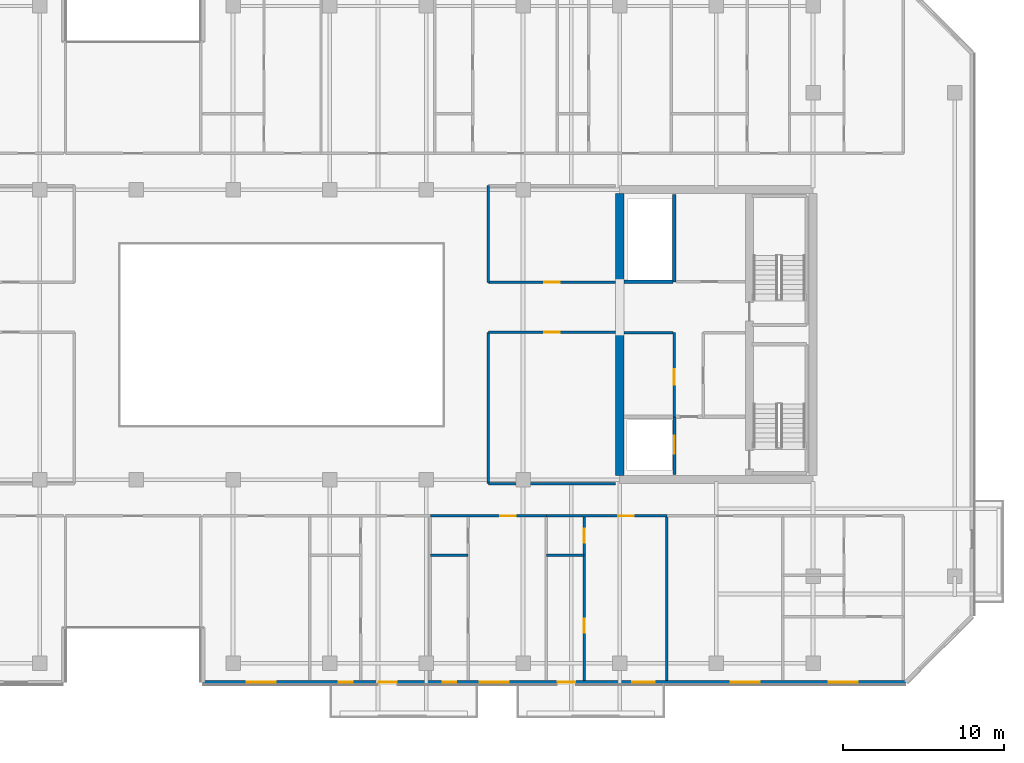
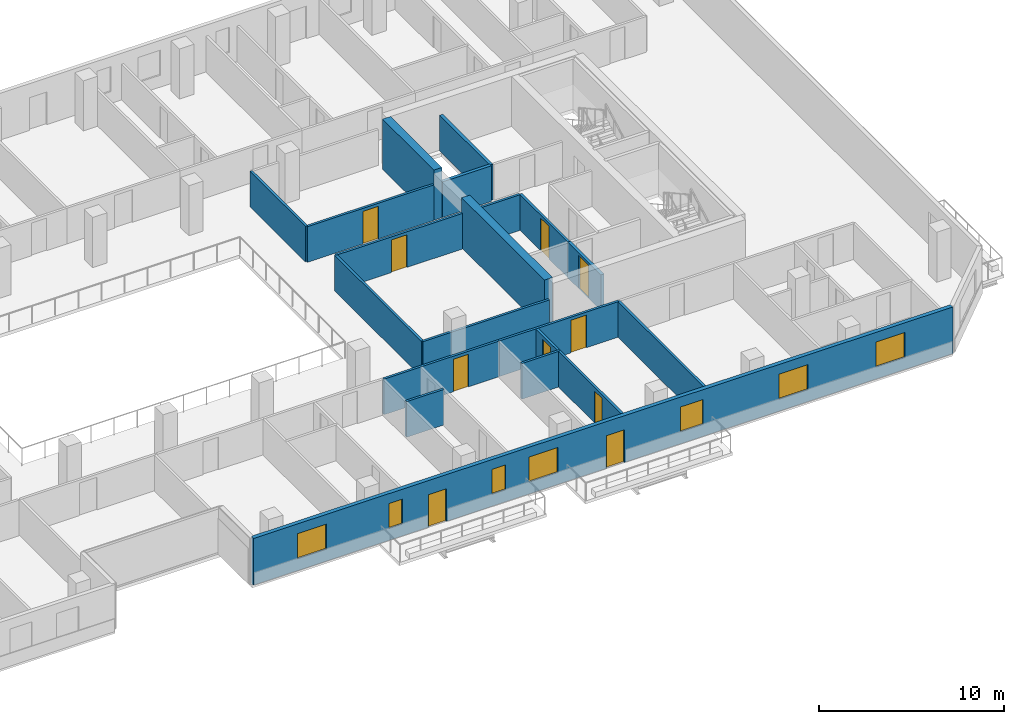
# One storey, part 11 of 19: 19 walls, 10 doors, 7 windows, 17 openings.
"""IFC4 building model written with IfcOpenShell, lengths in metres."""

from ifc_helpers import new_model, si_unit, direction, frame, frame_2d, origin, place, context, subcontext, project, spatial, rectangle, extrude, material, layer, layer_set, type_object, element, fill, save


model = new_model("IFC4")

# Units and contexts
model_context = context("Model", 3, precision=1e-05, world=origin(), true_north=direction((0.0, 1.0)))
body_context = subcontext(model_context, "Body", "Model", "MODEL_VIEW")
ifc_project = project(units=[si_unit("LENGTHUNIT", "METRE"), si_unit("AREAUNIT", "SQUARE_METRE"), si_unit("VOLUMEUNIT", "CUBIC_METRE"), si_unit("PLANEANGLEUNIT", "RADIAN"), si_unit("MASSUNIT", "GRAM", prefix="KILO")], contexts=[model_context])

# Site, building, storey
site_placement = place(None, origin())
site = spatial("IfcSite", under=ifc_project, at=site_placement, CompositionType="ELEMENT")
building_placement = place(site_placement, origin())
building = spatial("IfcBuilding", under=site, at=building_placement, Name="Tanjung Sevakor Pilgrim Tower", CompositionType="ELEMENT")
storey_placement = place(building_placement, frame((0.0, 0.0, 138.60009765625)))
storey = spatial("IfcBuildingStorey", under=building, at=storey_placement, Name="L38", CompositionType="ELEMENT", Elevation=138.60009765625)

# Walls
ifc_material_1 = material(Name="Concrete C60/75", Category="concrete")
ifc_layer_1 = layer(ifc_material_1, 0.5)
ifc_layer_set_1 = layer_set([ifc_layer_1], Name="WALL-CW-500")
wall_type_1 = type_object("IfcWallType", Name="WALL-CW-500", PredefinedType="SHEAR", material=ifc_layer_set_1)
wall_1_placement = place(storey_placement, frame((78.0, 24.85009765625, 0.0), z_axis=(0.0, 0.0, 1.0), x_axis=(0.0, 1.0, 0.0)))
element("IfcWall", 1, at=wall_1_placement, inside=storey, type_object=wall_type_1, Name="L38 E Core Inner Shear Wall South", PredefinedType="SHEAR", context=body_context, shape_type="SweptSolid", body=[
    extrude(rectangle(XDim=8.949951171875, YDim=0.5, at=frame_2d((4.47509765625, 0.0))), origin(), (0.0, 0.0, 1.0), 3.2998046875),
])
wall_2_placement = place(storey_placement, frame((78.0, 36.800048828125, 0.0), z_axis=(0.0, 0.0, 1.0), x_axis=(0.0, 1.0, 0.0)))
element("IfcWall", 2, at=wall_2_placement, inside=storey, type_object=wall_type_1, Name="L38 E Core Inner Shear Wall North", PredefinedType="SHEAR", context=body_context, shape_type="SweptSolid", body=[
    extrude(rectangle(XDim=5.550048828125, YDim=0.5, at=frame_2d((2.77490234375, 0.0))), origin(), (0.0, 0.0, 1.0), 3.2998046875),
])
ifc_material_2 = material(Name="Concrete C40/50", Category="concrete")
ifc_layer_2 = layer(ifc_material_2, 0.14990234375)
ifc_layer_set_2 = layer_set([ifc_layer_2], Name="WT-COMP-150")
wall_type_2 = type_object("IfcWallType", Name="WT-COMP-150", PredefinedType="SOLIDWALL", material=ifc_layer_set_2)
wall_3_placement = place(storey_placement, frame((78.27001953125, 33.719970703125, 0.0), z_axis=(0.0, 0.0, 1.0), x_axis=(1.0, 0.0, 0.0)))
element("IfcWall", 3, at=wall_3_placement, inside=storey, type_object=wall_type_2, Name="L38 Partition IW-L38-014", PredefinedType="SOLIDWALL", context=body_context, shape_type="SweptSolid", body=[
    extrude(rectangle(XDim=3.050048828125, YDim=0.14990234375, at=frame_2d((1.52490234375, 0.0))), origin(), (0.0, 0.0, 1.0), 2.35009765625),
])

# Wall, opening, door
wall_4_placement = place(storey_placement, frame((81.3798828125, 28.5, 0.0), z_axis=(0.0, 0.0, 1.0), x_axis=(0.0, 1.0, 0.0)))
wall_4 = element("IfcWall", 4, at=wall_4_placement, inside=storey, type_object=wall_type_2, Name="L38 Partition IW-L38-015", PredefinedType="SOLIDWALL", context=body_context, shape_type="SweptSolid", body=[
    extrude(rectangle(XDim=5.219970703125, YDim=0.14990234375, at=frame_2d((2.60986328125, 0.0))), origin(), (0.0, 0.0, 1.0), 2.35009765625),
])
opening_1_placement = place(wall_4_placement, frame((2.0, 0.0, 0.0)))
opening_1 = element("IfcOpeningElement", 5, at=opening_1_placement, cuts=wall_4, Name="Opening ID-FD2", PredefinedType="OPENING", context=body_context, shape_type="SweptSolid", body=[
    extrude(rectangle(XDim=0.949951171875, YDim=2.14990234375, at=frame_2d((0.47509765625, 1.074951171875))), frame((0.0, 0.0849609375, 0.0), z_axis=(0.0, -1.0, 0.0), x_axis=(1.0, 0.0, 0.0)), (0.0, 0.0, 1.0), 0.169921875),
])
ifc_material_3 = material(Name="Fire-Rated Timber", Category="wood")
door_type_1 = type_object("IfcDoorType", Name="DT-FIRE-950", OperationType="NOTDEFINED", PredefinedType="DOOR", material=ifc_material_3)
door_1_placement = place(opening_1_placement, origin())
door_1 = element("IfcDoor", 6, at=door_1_placement, inside=storey, type_object=door_type_1, Name="L38 Accessible WC Door", OperationType="SINGLE_SWING_LEFT", OverallHeight=2.14990234375, OverallWidth=0.949951171875, PredefinedType="DOOR", context=body_context, shape_type="SweptSolid", body=[
    extrude(rectangle(XDim=0.949951171875, YDim=2.14990234375, at=frame_2d((0.47509765625, 1.074951171875))), frame((0.0, 0.02490234375, 0.0), z_axis=(0.0, -1.0, 0.0), x_axis=(1.0, 0.0, 0.0)), (0.0, 0.0, 1.0), 0.050048828125),
])
fill(opening_1, door_1)

# Wall
wall_5_placement = place(storey_placement, frame((69.85009765625, 24.35009765625, 0.0), z_axis=(0.0, 0.0, 1.0), x_axis=(1.0, 0.0, 0.0)))
element("IfcWall", 7, at=wall_5_placement, inside=storey, type_object=wall_type_2, Name="L38 Partition IW-L38-025", PredefinedType="SOLIDWALL", context=body_context, shape_type="SweptSolid", body=[
    extrude(rectangle(XDim=7.8798828125, YDim=0.14990234375, at=frame_2d((3.93994140625, 0.0))), origin(), (0.0, 0.0, 1.0), 2.35009765625),
])

# Wall, opening, door
wall_6_placement = place(storey_placement, frame((69.85009765625, 33.75, 0.0), z_axis=(0.0, 0.0, 1.0), x_axis=(1.0, 0.0, 0.0)))
wall_6 = element("IfcWall", 8, at=wall_6_placement, inside=storey, type_object=wall_type_2, Name="L38 Partition IW-L38-026", PredefinedType="SOLIDWALL", context=body_context, shape_type="SweptSolid", body=[
    extrude(rectangle(XDim=7.8798828125, YDim=0.14990234375, at=frame_2d((3.93994140625, 0.0))), origin(), (0.0, 0.0, 1.0), 2.35009765625),
])
opening_2_placement = place(wall_6_placement, frame((3.465087890625, 0.0, 0.0)))
opening_2 = element("IfcOpeningElement", 9, at=opening_2_placement, cuts=wall_6, Name="Opening ID-RM1", PredefinedType="OPENING", context=body_context, shape_type="SweptSolid", body=[
    extrude(rectangle(XDim=0.949951171875, YDim=2.14990234375, at=frame_2d((0.47509765625, 1.074951171875))), frame((0.0, 0.0849609375, 0.0), z_axis=(0.0, -1.0, 0.0), x_axis=(1.0, 0.0, 0.0)), (0.0, 0.0, 1.0), 0.169921875),
])
ifc_material_4 = material(Name="Hardwood Timber", Category="wood")
door_type_2 = type_object("IfcDoorType", Name="DT-INT-950", OperationType="NOTDEFINED", PredefinedType="DOOR", material=ifc_material_4)
door_2_placement = place(opening_2_placement, origin())
door_2 = element("IfcDoor", 10, at=door_2_placement, inside=storey, type_object=door_type_2, Name="L38 East Inboard South Door", OperationType="SINGLE_SWING_LEFT", OverallHeight=2.14990234375, OverallWidth=0.949951171875, PredefinedType="DOOR", context=body_context, shape_type="SweptSolid", body=[
    extrude(rectangle(XDim=0.949951171875, YDim=2.14990234375, at=frame_2d((0.47509765625, 1.074951171875))), frame((0.0, 0.02490234375, 0.0), z_axis=(0.0, -1.0, 0.0), x_axis=(1.0, 0.0, 0.0)), (0.0, 0.0, 1.0), 0.050048828125),
])
fill(opening_2, door_2)

# Wall
wall_7_placement = place(storey_placement, frame((69.85009765625, 24.35009765625, 0.0), z_axis=(0.0, 0.0, 1.0), x_axis=(0.0, 1.0, 0.0)))
element("IfcWall", 11, at=wall_7_placement, inside=storey, type_object=wall_type_2, Name="L38 Partition IW-L38-027", PredefinedType="SOLIDWALL", context=body_context, shape_type="SweptSolid", body=[
    extrude(rectangle(XDim=9.39990234375, YDim=0.14990234375, at=frame_2d((4.699951171875, 0.0))), origin(), (0.0, 0.0, 1.0), 2.35009765625),
])

# Wall, opening, door
wall_8_placement = place(storey_placement, frame((69.85009765625, 36.85009765625, 0.0), z_axis=(0.0, 0.0, 1.0), x_axis=(1.0, 0.0, 0.0)))
wall_8 = element("IfcWall", 12, at=wall_8_placement, inside=storey, type_object=wall_type_2, Name="L38 Partition IW-L38-028", PredefinedType="SOLIDWALL", context=body_context, shape_type="SweptSolid", body=[
    extrude(rectangle(XDim=7.8798828125, YDim=0.14990234375, at=frame_2d((3.93994140625, 0.0))), origin(), (0.0, 0.0, 1.0), 2.35009765625),
])
opening_3_placement = place(wall_8_placement, frame((3.465087890625, 0.0, 0.0)))
opening_3 = element("IfcOpeningElement", 13, at=opening_3_placement, cuts=wall_8, Name="Opening ID-RM1", PredefinedType="OPENING", context=body_context, shape_type="SweptSolid", body=[
    extrude(rectangle(XDim=0.949951171875, YDim=2.14990234375, at=frame_2d((0.47509765625, 1.074951171875))), frame((0.0, 0.0849609375, 0.0), z_axis=(0.0, -1.0, 0.0), x_axis=(1.0, 0.0, 0.0)), (0.0, 0.0, 1.0), 0.169921875),
])
door_3_placement = place(opening_3_placement, origin())
door_3 = element("IfcDoor", 14, at=door_3_placement, inside=storey, type_object=door_type_2, Name="L38 East Inboard North Door", OperationType="SINGLE_SWING_RIGHT", OverallHeight=2.14990234375, OverallWidth=0.949951171875, PredefinedType="DOOR", context=body_context, shape_type="SweptSolid", body=[
    extrude(rectangle(XDim=0.949951171875, YDim=2.14990234375, at=frame_2d((0.47509765625, 1.074951171875))), frame((0.0, 0.02490234375, 0.0), z_axis=(0.0, -1.0, 0.0), x_axis=(1.0, 0.0, 0.0)), (0.0, 0.0, 1.0), 0.050048828125),
])
fill(opening_3, door_3)

# Wall
wall_9_placement = place(storey_placement, frame((69.85009765625, 36.85009765625, 0.0), z_axis=(0.0, 0.0, 1.0), x_axis=(0.0, 1.0, 0.0)))
element("IfcWall", 15, at=wall_9_placement, inside=storey, type_object=wall_type_2, Name="L38 Partition IW-L38-030", PredefinedType="SOLIDWALL", context=body_context, shape_type="SweptSolid", body=[
    extrude(rectangle(XDim=6.0, YDim=0.14990234375, at=frame_2d((3.0, 0.0))), origin(), (0.0, 0.0, 1.0), 2.35009765625),
])

# Wall, opening, door
wall_10_placement = place(storey_placement, frame((66.244140625, 22.35009765625, 0.0), z_axis=(0.0, 0.0, 1.0), x_axis=(1.0, 0.0, 0.0)))
wall_10 = element("IfcWall", 16, at=wall_10_placement, inside=storey, type_object=wall_type_2, Name="L38 Partition IW-L38-057", PredefinedType="SOLIDWALL", context=body_context, shape_type="SweptSolid", body=[
    extrude(rectangle(XDim=7.200439453125, YDim=0.14990234375, at=frame_2d((3.60009765625, 0.0))), origin(), (0.0, 0.0, 1.0), 2.35009765625),
])
opening_4_placement = place(wall_10_placement, frame((4.34033203125, 0.0, 0.0)))
opening_4 = element("IfcOpeningElement", 17, at=opening_4_placement, cuts=wall_10, Name="Opening ID-FD2", PredefinedType="OPENING", context=body_context, shape_type="SweptSolid", body=[
    extrude(rectangle(XDim=0.949951171875, YDim=2.14990234375, at=frame_2d((0.47509765625, 1.074951171875))), frame((0.0, 0.0849609375, 0.0), z_axis=(0.0, -1.0, 0.0), x_axis=(1.0, 0.0, 0.0)), (0.0, 0.0, 1.0), 0.169921875),
])
door_4_placement = place(opening_4_placement, origin())
door_4 = element("IfcDoor", 18, at=door_4_placement, inside=storey, type_object=door_type_1, Name="Hostel Quad Entrance", OperationType="SINGLE_SWING_LEFT", OverallHeight=2.14990234375, OverallWidth=0.949951171875, PredefinedType="DOOR", context=body_context, shape_type="SweptSolid", body=[
    extrude(rectangle(XDim=0.949951171875, YDim=2.14990234375, at=frame_2d((0.47509765625, 1.074951171875))), frame((0.0, 0.02490234375, 0.0), z_axis=(0.0, -1.0, 0.0), x_axis=(1.0, 0.0, 0.0)), (0.0, 0.0, 1.0), 0.050048828125),
])
fill(opening_4, door_4)

# Wall
wall_11_placement = place(storey_placement, frame((80.922119140625, 12.14990234375, 0.0), z_axis=(0.0, 0.0, 1.0), x_axis=(0.0, 1.0, 0.0)))
element("IfcWall", 19, at=wall_11_placement, inside=storey, type_object=wall_type_2, Name="L38 Partition IW-L38-058", PredefinedType="SOLIDWALL", context=body_context, shape_type="SweptSolid", body=[
    extrude(rectangle(XDim=10.2001953125, YDim=0.14990234375, at=frame_2d((5.10009765625, 0.0))), origin(), (0.0, 0.0, 1.0), 2.35009765625),
])

# Wall, opening, door
wall_12_placement = place(storey_placement, frame((73.444580078125, 22.35009765625, 0.0), z_axis=(0.0, 0.0, 1.0), x_axis=(1.0, 0.0, 0.0)))
wall_12 = element("IfcWall", 20, at=wall_12_placement, inside=storey, type_object=wall_type_2, Name="L38 Partition IW-L38-061", PredefinedType="SOLIDWALL", context=body_context, shape_type="SweptSolid", body=[
    extrude(rectangle(XDim=7.4775390625, YDim=0.14990234375, at=frame_2d((3.73876953125, 0.0))), origin(), (0.0, 0.0, 1.0), 2.35009765625),
])
opening_5_placement = place(wall_12_placement, frame((4.478759765625, 0.0, 0.0)))
opening_5 = element("IfcOpeningElement", 21, at=opening_5_placement, cuts=wall_12, Name="Opening ID-FD2", PredefinedType="OPENING", context=body_context, shape_type="SweptSolid", body=[
    extrude(rectangle(XDim=0.949951171875, YDim=2.14990234375, at=frame_2d((0.47509765625, 1.074951171875))), frame((0.0, 0.0849609375, 0.0), z_axis=(0.0, -1.0, 0.0), x_axis=(1.0, 0.0, 0.0)), (0.0, 0.0, 1.0), 0.169921875),
])
door_5_placement = place(opening_5_placement, origin())
door_5 = element("IfcDoor", 22, at=door_5_placement, inside=storey, type_object=door_type_1, Name="Hostel Quad Entrance", OperationType="SINGLE_SWING_RIGHT", OverallHeight=2.14990234375, OverallWidth=0.949951171875, PredefinedType="DOOR", context=body_context, shape_type="SweptSolid", body=[
    extrude(rectangle(XDim=0.949951171875, YDim=2.14990234375, at=frame_2d((0.47509765625, 1.074951171875))), frame((0.0, 0.02490234375, 0.0), z_axis=(0.0, -1.0, 0.0), x_axis=(1.0, 0.0, 0.0)), (0.0, 0.0, 1.0), 0.050048828125),
])
fill(opening_5, door_5)

# Wall, openings, doors, windows
ifc_material_5 = material(Name="Precast concrete C45/55", Category="concrete")
ifc_layer_3 = layer(ifc_material_5, 0.25)
ifc_layer_set_3 = layer_set([ifc_layer_3], Name="WT-EW-STN3")
wall_type_3 = type_object("IfcWallType", Name="WT-EW-STN3", PredefinedType="SOLIDWALL", material=ifc_layer_set_3)
wall_13_placement = place(storey_placement, frame((52.125, 12.02490234375, 0.0), z_axis=(0.0, 0.0, 1.0), x_axis=(1.0, 0.0, 0.0)))
wall_13 = element("IfcWall", 23, at=wall_13_placement, inside=storey, type_object=wall_type_3, Name="L38 MAIN Exterior Wall 5", PredefinedType="SOLIDWALL", context=body_context, shape_type="SweptSolid", body=[
    extrude(rectangle(XDim=43.623291015625, YDim=0.25, at=frame_2d((21.8115234375, 0.0))), origin(), (0.0, 0.0, 1.0), 3.080078125),
])
opening_6_placement = place(wall_13_placement, frame((10.925048828125, 0.0, 0.0)))
opening_6 = element("IfcOpeningElement", 24, at=opening_6_placement, cuts=wall_13, Name="Opening ED-BAL-1100", PredefinedType="OPENING", context=body_context, shape_type="SweptSolid", body=[
    extrude(rectangle(XDim=1.10009765625, YDim=2.14990234375, at=frame_2d((0.550048828125, 1.074951171875))), frame((0.0, 0.135009765625, 0.0), z_axis=(0.0, -1.0, 0.0), x_axis=(1.0, 0.0, 0.0)), (0.0, 0.0, 1.0), 0.27001953125),
])
opening_7_placement = place(wall_13_placement, frame((22.02490234375, 0.0, 0.0)))
opening_7 = element("IfcOpeningElement", 25, at=opening_7_placement, cuts=wall_13, Name="Opening ED-BAL-1100", PredefinedType="OPENING", context=body_context, shape_type="SweptSolid", body=[
    extrude(rectangle(XDim=1.10009765625, YDim=2.14990234375, at=frame_2d((0.550048828125, 1.074951171875))), frame((0.0, 0.135009765625, 0.0), z_axis=(0.0, -1.0, 0.0), x_axis=(1.0, 0.0, 0.0)), (0.0, 0.0, 1.0), 0.27001953125),
])
opening_8_placement = place(wall_13_placement, frame((2.73828125, 0.0, 0.780029296875)))
opening_8 = element("IfcOpeningElement", 26, at=opening_8_placement, cuts=wall_13, Name="Opening WN-Z3-1660", PredefinedType="OPENING", context=body_context, shape_type="SweptSolid", body=[
    extrude(rectangle(XDim=1.800048828125, YDim=1.659912109375, at=frame_2d((0.89990234375, 0.830078125))), frame((0.0, 0.135009765625, 0.0), z_axis=(0.0, -1.0, 0.0), x_axis=(1.0, 0.0, 0.0)), (0.0, 0.0, 1.0), 0.27001953125),
])
opening_9_placement = place(wall_13_placement, frame((8.443359375, 0.0, 0.780029296875)))
opening_9 = element("IfcOpeningElement", 27, at=opening_9_placement, cuts=wall_13, Name="Opening WN-SLM", PredefinedType="OPENING", context=body_context, shape_type="SweptSolid", body=[
    extrude(rectangle(XDim=0.85009765625, YDim=1.64990234375, at=frame_2d((0.425048828125, 0.824951171875))), frame((0.0, 0.135009765625, 0.0), z_axis=(0.0, -1.0, 0.0), x_axis=(1.0, 0.0, 0.0)), (0.0, 0.0, 1.0), 0.27001953125),
])
opening_10_placement = place(wall_13_placement, frame((14.879150390625, 0.0, 0.780029296875)))
opening_10 = element("IfcOpeningElement", 28, at=opening_10_placement, cuts=wall_13, Name="Opening WN-SLM", PredefinedType="OPENING", context=body_context, shape_type="SweptSolid", body=[
    extrude(rectangle(XDim=0.85009765625, YDim=1.64990234375, at=frame_2d((0.425048828125, 0.824951171875))), frame((0.0, 0.135009765625, 0.0), z_axis=(0.0, -1.0, 0.0), x_axis=(1.0, 0.0, 0.0)), (0.0, 0.0, 1.0), 0.27001953125),
])
opening_11_placement = place(wall_13_placement, frame((17.184326171875, 0.0, 0.780029296875)))
opening_11 = element("IfcOpeningElement", 29, at=opening_11_placement, cuts=wall_13, Name="Opening WN-Z3-1660", PredefinedType="OPENING", context=body_context, shape_type="SweptSolid", body=[
    extrude(rectangle(XDim=1.800048828125, YDim=1.659912109375, at=frame_2d((0.89990234375, 0.830078125))), frame((0.0, 0.135009765625, 0.0), z_axis=(0.0, -1.0, 0.0), x_axis=(1.0, 0.0, 0.0)), (0.0, 0.0, 1.0), 0.27001953125),
])
opening_12_placement = place(wall_13_placement, frame((26.643310546875, 0.0, 0.780029296875)))
opening_12 = element("IfcOpeningElement", 30, at=opening_12_placement, cuts=wall_13, Name="Opening WN-END", PredefinedType="OPENING", context=body_context, shape_type="SweptSolid", body=[
    extrude(rectangle(XDim=1.39990234375, YDim=1.64990234375, at=frame_2d((0.699951171875, 0.824951171875))), frame((0.0, 0.135009765625, 0.0), z_axis=(0.0, -1.0, 0.0), x_axis=(1.0, 0.0, 0.0)), (0.0, 0.0, 1.0), 0.27001953125),
])
opening_13_placement = place(wall_13_placement, frame((32.77734375, 0.0, 0.780029296875)))
opening_13 = element("IfcOpeningElement", 31, at=opening_13_placement, cuts=wall_13, Name="Opening WN-Z3-1660", PredefinedType="OPENING", context=body_context, shape_type="SweptSolid", body=[
    extrude(rectangle(XDim=1.800048828125, YDim=1.659912109375, at=frame_2d((0.89990234375, 0.830078125))), frame((0.0, 0.135009765625, 0.0), z_axis=(0.0, -1.0, 0.0), x_axis=(1.0, 0.0, 0.0)), (0.0, 0.0, 1.0), 0.27001953125),
])
opening_14_placement = place(wall_13_placement, frame((38.836181640625, 0.0, 0.780029296875)))
opening_14 = element("IfcOpeningElement", 32, at=opening_14_placement, cuts=wall_13, Name="Opening WN-Z3-1660", PredefinedType="OPENING", context=body_context, shape_type="SweptSolid", body=[
    extrude(rectangle(XDim=1.800048828125, YDim=1.659912109375, at=frame_2d((0.89990234375, 0.830078125))), frame((0.0, 0.135009765625, 0.0), z_axis=(0.0, -1.0, 0.0), x_axis=(1.0, 0.0, 0.0)), (0.0, 0.0, 1.0), 0.27001953125),
])
ifc_material_6 = material(Name="Anodised Aluminium and Laminated Glass", Category="aluminium")
door_type_3 = type_object("IfcDoorType", Name="DTYP-ED-BAL-1100", OperationType="NOTDEFINED", PredefinedType="DOOR", material=ifc_material_6)
door_6_placement = place(opening_6_placement, frame((1.10009765625, 0.0, 0.0), z_axis=(0.0, 0.0, 1.0), x_axis=(-1.0, 0.0, 0.0)))
door_6 = element("IfcDoor", 33, at=door_6_placement, inside=storey, type_object=door_type_3, Name="L38 Balcony Door MAIN-S2", OperationType="SINGLE_SWING_LEFT", OverallHeight=2.14990234375, OverallWidth=1.10009765625, PredefinedType="DOOR", context=body_context, shape_type="SweptSolid", body=[
    extrude(rectangle(XDim=1.10009765625, YDim=2.14990234375, at=frame_2d((0.550048828125, 1.074951171875))), frame((0.0, 0.02490234375, 0.0), z_axis=(0.0, -1.0, 0.0), x_axis=(1.0, 0.0, 0.0)), (0.0, 0.0, 1.0), 0.050048828125),
])
fill(opening_6, door_6)
door_7_placement = place(opening_7_placement, frame((1.10009765625, 0.0, 0.0), z_axis=(0.0, 0.0, 1.0), x_axis=(-1.0, 0.0, 0.0)))
door_7 = element("IfcDoor", 34, at=door_7_placement, inside=storey, type_object=door_type_3, Name="L38 Balcony Door MAIN-S3", OperationType="SINGLE_SWING_RIGHT", OverallHeight=2.14990234375, OverallWidth=1.10009765625, PredefinedType="DOOR", context=body_context, shape_type="SweptSolid", body=[
    extrude(rectangle(XDim=1.10009765625, YDim=2.14990234375, at=frame_2d((0.550048828125, 1.074951171875))), frame((0.0, 0.02490234375, 0.0), z_axis=(0.0, -1.0, 0.0), x_axis=(1.0, 0.0, 0.0)), (0.0, 0.0, 1.0), 0.050048828125),
])
fill(opening_7, door_7)
ifc_material_7 = material(Name="Thermally Broken Aluminium and Low-E Glass", Category="aluminium")
window_type_1 = type_object("IfcWindowType", Name="WTYP-WN-END", PartitioningType="SINGLE_PANEL", PredefinedType="WINDOW", material=ifc_material_7)
window_1_placement = place(opening_12_placement, origin())
window_1 = element("IfcWindow", 35, at=window_1_placement, inside=storey, type_object=window_type_1, Name="L38 Facade Window 05", OverallHeight=1.64990234375, OverallWidth=1.39990234375, PartitioningType="SINGLE_PANEL", PredefinedType="WINDOW", context=body_context, shape_type="SweptSolid", body=[
    extrude(rectangle(XDim=1.39990234375, YDim=1.64990234375, at=frame_2d((0.699951171875, 0.824951171875))), frame((0.0, 0.030029296875, 0.0), z_axis=(0.0, -1.0, 0.0), x_axis=(1.0, 0.0, 0.0)), (0.0, 0.0, 1.0), 0.06005859375),
])
fill(opening_12, window_1)
ifc_material_8 = material(Name="Thermally Broken Aluminium and Low-E Glass", Category="aluminium")
window_type_2 = type_object("IfcWindowType", Name="WTYP-WN-SLM", PartitioningType="SINGLE_PANEL", PredefinedType="WINDOW", material=ifc_material_8)
window_2_placement = place(opening_9_placement, origin())
window_2 = element("IfcWindow", 36, at=window_2_placement, inside=storey, type_object=window_type_2, Name="L38 Facade Window 02", OverallHeight=1.64990234375, OverallWidth=0.85009765625, PartitioningType="SINGLE_PANEL", PredefinedType="WINDOW", context=body_context, shape_type="SweptSolid", body=[
    extrude(rectangle(XDim=0.85009765625, YDim=1.64990234375, at=frame_2d((0.425048828125, 0.824951171875))), frame((0.0, 0.030029296875, 0.0), z_axis=(0.0, -1.0, 0.0), x_axis=(1.0, 0.0, 0.0)), (0.0, 0.0, 1.0), 0.06005859375),
])
fill(opening_9, window_2)
window_3_placement = place(opening_10_placement, origin())
window_3 = element("IfcWindow", 37, at=window_3_placement, inside=storey, type_object=window_type_2, Name="L38 Facade Window 03", OverallHeight=1.64990234375, OverallWidth=0.85009765625, PartitioningType="SINGLE_PANEL", PredefinedType="WINDOW", context=body_context, shape_type="SweptSolid", body=[
    extrude(rectangle(XDim=0.85009765625, YDim=1.64990234375, at=frame_2d((0.425048828125, 0.824951171875))), frame((0.0, 0.030029296875, 0.0), z_axis=(0.0, -1.0, 0.0), x_axis=(1.0, 0.0, 0.0)), (0.0, 0.0, 1.0), 0.06005859375),
])
fill(opening_10, window_3)
ifc_material_9 = material(Name="Thermally Broken Aluminium and Low-E Glass", Category="aluminium")
window_type_3 = type_object("IfcWindowType", Name="WTYP-WN-Z3-1660", PartitioningType="DOUBLE_PANEL_VERTICAL", PredefinedType="WINDOW", material=ifc_material_9)
window_4_placement = place(opening_8_placement, origin())
window_4 = element("IfcWindow", 38, at=window_4_placement, inside=storey, type_object=window_type_3, Name="L38 Facade Window 01", OverallHeight=1.659912109375, OverallWidth=1.800048828125, PartitioningType="SINGLE_PANEL", PredefinedType="WINDOW", context=body_context, shape_type="SweptSolid", body=[
    extrude(rectangle(XDim=1.800048828125, YDim=1.659912109375, at=frame_2d((0.89990234375, 0.830078125))), frame((0.0, 0.030029296875, 0.0), z_axis=(0.0, -1.0, 0.0), x_axis=(1.0, 0.0, 0.0)), (0.0, 0.0, 1.0), 0.06005859375),
])
fill(opening_8, window_4)
window_5_placement = place(opening_11_placement, origin())
window_5 = element("IfcWindow", 39, at=window_5_placement, inside=storey, type_object=window_type_3, Name="L38 Facade Window 04", OverallHeight=1.659912109375, OverallWidth=1.800048828125, PartitioningType="SINGLE_PANEL", PredefinedType="WINDOW", context=body_context, shape_type="SweptSolid", body=[
    extrude(rectangle(XDim=1.800048828125, YDim=1.659912109375, at=frame_2d((0.89990234375, 0.830078125))), frame((0.0, 0.030029296875, 0.0), z_axis=(0.0, -1.0, 0.0), x_axis=(1.0, 0.0, 0.0)), (0.0, 0.0, 1.0), 0.06005859375),
])
fill(opening_11, window_5)
window_6_placement = place(opening_13_placement, origin())
window_6 = element("IfcWindow", 40, at=window_6_placement, inside=storey, type_object=window_type_3, Name="L38 Facade Window 06", OverallHeight=1.659912109375, OverallWidth=1.800048828125, PartitioningType="SINGLE_PANEL", PredefinedType="WINDOW", context=body_context, shape_type="SweptSolid", body=[
    extrude(rectangle(XDim=1.800048828125, YDim=1.659912109375, at=frame_2d((0.89990234375, 0.830078125))), frame((0.0, 0.030029296875, 0.0), z_axis=(0.0, -1.0, 0.0), x_axis=(1.0, 0.0, 0.0)), (0.0, 0.0, 1.0), 0.06005859375),
])
fill(opening_13, window_6)
window_7_placement = place(opening_14_placement, origin())
window_7 = element("IfcWindow", 41, at=window_7_placement, inside=storey, type_object=window_type_3, Name="L38 Facade Window 07", OverallHeight=1.659912109375, OverallWidth=1.800048828125, PartitioningType="SINGLE_PANEL", PredefinedType="WINDOW", context=body_context, shape_type="SweptSolid", body=[
    extrude(rectangle(XDim=1.800048828125, YDim=1.659912109375, at=frame_2d((0.89990234375, 0.830078125))), frame((0.0, 0.030029296875, 0.0), z_axis=(0.0, -1.0, 0.0), x_axis=(1.0, 0.0, 0.0)), (0.0, 0.0, 1.0), 0.06005859375),
])
fill(opening_14, window_7)

# Wall, opening, door
ifc_material_10 = material(Name="Concrete C40/50", Category="concrete")
ifc_layer_4 = layer(ifc_material_10, 0.199951171875)
ifc_layer_set_4 = layer_set([ifc_layer_4], Name="WT-FPRT-200")
wall_type_4 = type_object("IfcWallType", Name="WT-FPRT-200", PredefinedType="SOLIDWALL", material=ifc_layer_set_4)
wall_14_placement = place(storey_placement, frame((81.39990234375, 24.919921875, 0.0), z_axis=(0.0, 0.0, 1.0), x_axis=(0.0, 1.0, 0.0)))
wall_14 = element("IfcWall", 42, at=wall_14_placement, inside=storey, type_object=wall_type_4, Name="L38 Partition IW-L38-010", PredefinedType="SOLIDWALL", context=body_context, shape_type="SweptSolid", body=[
    extrude(rectangle(XDim=3.580078125, YDim=0.199951171875, at=frame_2d((1.7900390625, 0.0))), origin(), (0.0, 0.0, 1.0), 2.35009765625),
])
opening_15_placement = place(wall_14_placement, frame((1.300048828125, 0.0, 0.0)))
opening_15 = element("IfcOpeningElement", 43, at=opening_15_placement, cuts=wall_14, Name="Opening LD-1100", PredefinedType="OPENING", context=body_context, shape_type="SweptSolid", body=[
    extrude(rectangle(XDim=1.10009765625, YDim=2.199951171875, at=frame_2d((0.550048828125, 1.10009765625))), frame((0.0, 0.10986328125, 0.0), z_axis=(0.0, -1.0, 0.0), x_axis=(1.0, 0.0, 0.0)), (0.0, 0.0, 1.0), 0.219970703125),
])
ifc_material_11 = material(Name="Brushed Stainless Steel S355J2", Category="steel")
door_type_4 = type_object("IfcDoorType", Name="DT-LIFT-1100", OperationType="SLIDING_TO_LEFT", PredefinedType="DOOR", material=ifc_material_11)
door_8_placement = place(opening_15_placement, origin())
door_8 = element("IfcDoor", 44, at=door_8_placement, inside=storey, type_object=door_type_4, Name="LD-FL-E", OperationType="SLIDING_TO_LEFT", OverallHeight=2.199951171875, OverallWidth=1.10009765625, PredefinedType="DOOR", context=body_context, shape_type="SweptSolid", body=[
    extrude(rectangle(XDim=1.10009765625, YDim=2.199951171875, at=frame_2d((0.550048828125, 1.10009765625))), frame((0.0, 0.02490234375, 0.0), z_axis=(0.0, -1.0, 0.0), x_axis=(1.0, 0.0, 0.0)), (0.0, 0.0, 1.0), 0.050048828125),
])
fill(opening_15, door_8)

# Walls
wall_15_placement = place(storey_placement, frame((78.27001953125, 36.8798828125, 0.0), z_axis=(0.0, 0.0, 1.0), x_axis=(1.0, 0.0, 0.0)))
element("IfcWall", 45, at=wall_15_placement, inside=storey, type_object=wall_type_4, Name="L38 Partition IW-L38-017", PredefinedType="SOLIDWALL", context=body_context, shape_type="SweptSolid", body=[
    extrude(rectangle(XDim=3.050048828125, YDim=0.199951171875, at=frame_2d((1.52490234375, 0.0))), origin(), (0.0, 0.0, 1.0), 2.35009765625),
])
wall_16_placement = place(storey_placement, frame((81.3798828125, 36.8798828125, 0.0), z_axis=(0.0, 0.0, 1.0), x_axis=(0.0, 1.0, 0.0)))
element("IfcWall", 46, at=wall_16_placement, inside=storey, type_object=wall_type_4, Name="L38 Partition IW-L38-018", PredefinedType="SOLIDWALL", context=body_context, shape_type="SweptSolid", body=[
    extrude(rectangle(XDim=5.420166015625, YDim=0.199951171875, at=frame_2d((2.7099609375, 0.0))), origin(), (0.0, 0.0, 1.0), 2.35009765625),
])
ifc_material_12 = material(Name="Gypsum Board Partition", Category="gypsum board")
ifc_layer_5 = layer(ifc_material_12, 0.14990234375)
ifc_layer_set_5 = layer_set([ifc_layer_5], Name="WT-PART-150")
wall_type_5 = type_object("IfcWallType", Name="WT-PART-150", PredefinedType="PARTITIONING", material=ifc_layer_set_5)
wall_17_placement = place(storey_placement, frame((66.244140625, 19.89990234375, 0.0), z_axis=(0.0, 0.0, 1.0), x_axis=(1.0, 0.0, 0.0)))
element("IfcWall", 47, at=wall_17_placement, inside=storey, type_object=wall_type_5, Name="L38 Partition IW-L38-055", PredefinedType="PARTITIONING", context=body_context, shape_type="SweptSolid", body=[
    extrude(rectangle(XDim=2.349853515625, YDim=0.14990234375, at=frame_2d((1.1748046875, 0.0))), origin(), (0.0, 0.0, 1.0), 2.35009765625),
])
wall_18_placement = place(storey_placement, frame((73.444580078125, 19.89990234375, 0.0), z_axis=(0.0, 0.0, 1.0), x_axis=(1.0, 0.0, 0.0)))
element("IfcWall", 48, at=wall_18_placement, inside=storey, type_object=wall_type_5, Name="L38 Partition IW-L38-059", PredefinedType="PARTITIONING", context=body_context, shape_type="SweptSolid", body=[
    extrude(rectangle(XDim=2.35009765625, YDim=0.14990234375, at=frame_2d((1.175048828125, 0.0))), origin(), (0.0, 0.0, 1.0), 2.35009765625),
])

# Wall, openings, doors
wall_19_placement = place(storey_placement, frame((75.794677734375, 12.14990234375, 0.0), z_axis=(0.0, 0.0, 1.0), x_axis=(0.0, 1.0, 0.0)))
wall_19 = element("IfcWall", 49, at=wall_19_placement, inside=storey, type_object=wall_type_5, Name="L38 Partition IW-L38-060", PredefinedType="PARTITIONING", context=body_context, shape_type="SweptSolid", body=[
    extrude(rectangle(XDim=10.2001953125, YDim=0.14990234375, at=frame_2d((5.10009765625, 0.0))), origin(), (0.0, 0.0, 1.0), 2.35009765625),
])
opening_16_placement = place(wall_19_placement, frame((2.9599609375, 0.0, 0.0)))
opening_16 = element("IfcOpeningElement", 50, at=opening_16_placement, cuts=wall_19, Name="Opening ID-WC1", PredefinedType="OPENING", context=body_context, shape_type="SweptSolid", body=[
    extrude(rectangle(XDim=0.85009765625, YDim=2.10009765625, at=frame_2d((0.425048828125, 1.050048828125))), frame((0.0, 0.0849609375, 0.0), z_axis=(0.0, -1.0, 0.0), x_axis=(1.0, 0.0, 0.0)), (0.0, 0.0, 1.0), 0.169921875),
])
opening_17_placement = place(wall_19_placement, frame((8.550048828125, 0.0, 0.0)))
opening_17 = element("IfcOpeningElement", 51, at=opening_17_placement, cuts=wall_19, Name="Opening ID-WC1", PredefinedType="OPENING", context=body_context, shape_type="SweptSolid", body=[
    extrude(rectangle(XDim=0.85009765625, YDim=2.10009765625, at=frame_2d((0.425048828125, 1.050048828125))), frame((0.0, 0.0849609375, 0.0), z_axis=(0.0, -1.0, 0.0), x_axis=(1.0, 0.0, 0.0)), (0.0, 0.0, 1.0), 0.169921875),
])
ifc_material_13 = material(Name="Moisture-Resistant Timber", Category="wood")
door_type_5 = type_object("IfcDoorType", Name="DT-INT-850", OperationType="NOTDEFINED", PredefinedType="DOOR", material=ifc_material_13)
door_9_placement = place(opening_16_placement, origin())
door_9 = element("IfcDoor", 52, at=door_9_placement, inside=storey, type_object=door_type_5, Name="Study Nook Door", OperationType="SINGLE_SWING_RIGHT", OverallHeight=2.10009765625, OverallWidth=0.85009765625, PredefinedType="DOOR", context=body_context, shape_type="SweptSolid", body=[
    extrude(rectangle(XDim=0.85009765625, YDim=2.10009765625, at=frame_2d((0.425048828125, 1.050048828125))), frame((0.0, 0.02490234375, 0.0), z_axis=(0.0, -1.0, 0.0), x_axis=(1.0, 0.0, 0.0)), (0.0, 0.0, 1.0), 0.050048828125),
])
fill(opening_16, door_9)
door_10_placement = place(opening_17_placement, origin())
door_10 = element("IfcDoor", 53, at=door_10_placement, inside=storey, type_object=door_type_5, Name="Bathroom Door", OperationType="SINGLE_SWING_LEFT", OverallHeight=2.10009765625, OverallWidth=0.85009765625, PredefinedType="DOOR", context=body_context, shape_type="SweptSolid", body=[
    extrude(rectangle(XDim=0.85009765625, YDim=2.10009765625, at=frame_2d((0.425048828125, 1.050048828125))), frame((0.0, 0.02490234375, 0.0), z_axis=(0.0, -1.0, 0.0), x_axis=(1.0, 0.0, 0.0)), (0.0, 0.0, 1.0), 0.050048828125),
])
fill(opening_17, door_10)

save(model, "model.ifc")
